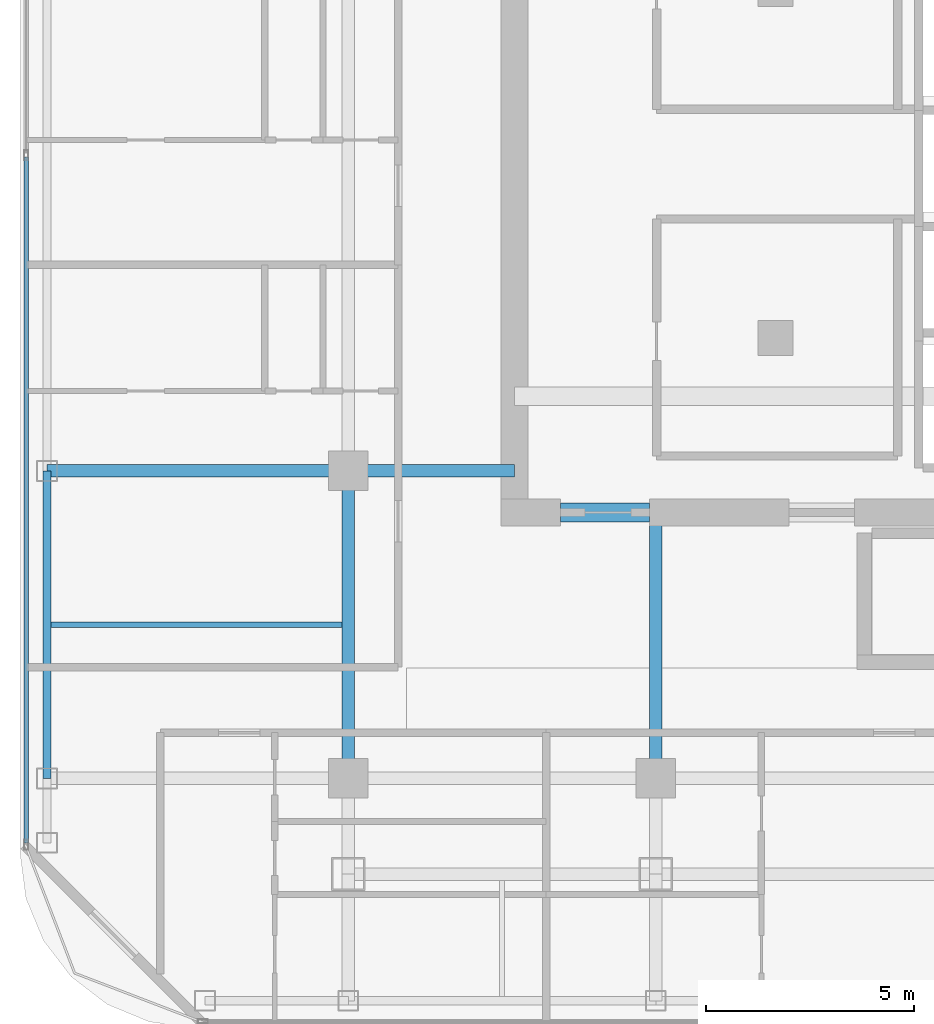
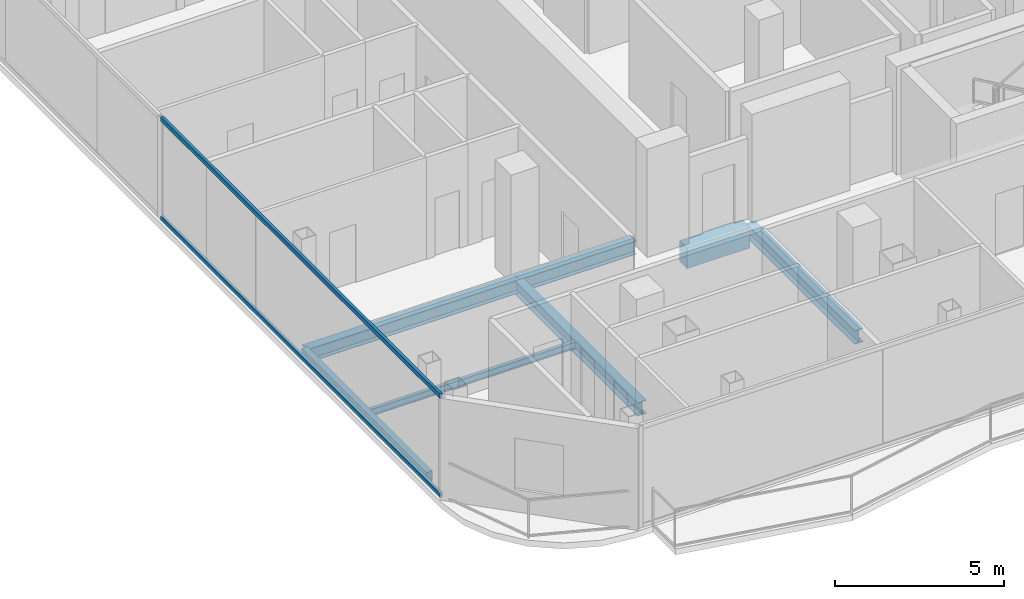
# One storey, part 3 of 23: 7 beams, 2 members, 1 element without a shape of its own.
"""IFC4 building model written with IfcOpenShell, lengths in metres."""

from ifc_helpers import new_model, si_unit, direction, frame, origin, origin_2d, place, context, subcontext, project, spatial, rectangle, hollow_rectangle, i_section, extrude, material, layer, layer_set, material_profile, profile_set, type_object, element, aggregate, save


model = new_model("IFC4")

# Units and contexts
model_context = context("Model", 3, precision=1e-05, world=origin(), true_north=direction((0.0, 1.0)))
body_context = subcontext(model_context, "Body", "Model", "MODEL_VIEW")
ifc_project = project(units=[si_unit("LENGTHUNIT", "METRE"), si_unit("AREAUNIT", "SQUARE_METRE"), si_unit("VOLUMEUNIT", "CUBIC_METRE"), si_unit("PLANEANGLEUNIT", "RADIAN"), si_unit("MASSUNIT", "GRAM", prefix="KILO")], contexts=[model_context])

# Site, building, storey
site_placement = place(None, origin())
site = spatial("IfcSite", under=ifc_project, at=site_placement, CompositionType="ELEMENT")
building_placement = place(site_placement, origin())
building = spatial("IfcBuilding", under=site, at=building_placement, Name="Khorvyn Point Tower", CompositionType="ELEMENT")
storey_placement = place(building_placement, frame((0.0, 0.0, 297.60009765625)))
storey = spatial("IfcBuildingStorey", under=building, at=storey_placement, Name="L73", CompositionType="ELEMENT", Elevation=297.60009765625)

# Curtain wall, members
ifc_material_1 = material(Name="Anodised aluminium 6063-T6 and laminated Low-E glass", Category="aluminium")
ifc_layer = layer(ifc_material_1, 0.18994140625)
ifc_layer_set = layer_set([ifc_layer], Name="Stick-Built High-Wind Curtain Wall CW-SYS-04")
curtain_wall_type = type_object("IfcCurtainWallType", Name="Stick-Built High-Wind Curtain Wall CW-SYS-04", PredefinedType="NOTDEFINED", material=ifc_layer_set)
curtain_wall_placement = place(storey_placement, origin())
curtain_wall = element("IfcCurtainWall", 1, at=curtain_wall_placement, inside=storey, type_object=curtain_wall_type, Name="Curtain Wall", PredefinedType="NOTDEFINED")
ifc_material_2 = material(Name="Anodised aluminium 6063-T6", Category="aluminium")
ifc_material_profile_1 = material_profile(ifc_material_2, hollow_rectangle(XDim=0.10009765625, YDim=0.159912109375, WallThickness=0.00439453125, at=origin_2d()))
ifc_profile_set_1 = profile_set([ifc_material_profile_1], Name="Anodised aluminium 6063-T6 ALU-TRN-100x160")
member_type = type_object("IfcMemberType", Name="Anodised Aluminium 6063-T6 Transom ALU-TRN-100x160", PredefinedType="USERDEFINED", material=ifc_profile_set_1)
member_1_placement = place(storey_placement, frame((-22.550048828125, -16.35009765625, 0.0498046875), z_axis=(0.0, 1.0, 0.0), x_axis=(-1.0, 0.0, 0.0)))
member_1 = element("IfcMember", 2, at=member_1_placement, type_object=member_type, Name="Transom", ObjectType="TRANSOM", PredefinedType="USERDEFINED", context=body_context, shape_type="SweptSolid", body=[
    extrude(hollow_rectangle(XDim=0.10009765625, YDim=0.159912109375, WallThickness=0.00439453125, at=origin_2d()), origin(), (0.0, 0.0, 1.0), 16.5),
])
member_2_placement = place(storey_placement, frame((-22.550048828125, -16.35009765625, 3.6298828125), z_axis=(0.0, 1.0, 0.0), x_axis=(-1.0, 0.0, 0.0)))
member_2 = element("IfcMember", 3, at=member_2_placement, type_object=member_type, Name="Transom", ObjectType="TRANSOM", PredefinedType="USERDEFINED", context=body_context, shape_type="SweptSolid", body=[
    extrude(hollow_rectangle(XDim=0.10009765625, YDim=0.159912109375, WallThickness=0.00439453125, at=origin_2d()), origin(), (0.0, 0.0, 1.0), 16.5),
])
aggregate(curtain_wall, [member_1, member_2])

# Beams
ifc_material_3 = material(Name="Concrete C40/50", Category="concrete")
ifc_material_profile_2 = material_profile(ifc_material_3, rectangle(XDim=0.449951171875, YDim=0.75, at=origin_2d()))
ifc_profile_set_2 = profile_set([ifc_material_profile_2], Name="Concrete C40/50 RC450x750")
beam_type_1 = type_object("IfcBeamType", Name="Concrete C40/50 Beam RC450x750", PredefinedType="BEAM", material=ifc_profile_set_2)
beam_1_placement = place(storey_placement, frame((-9.699951171875, -8.39990234375, -0.59521484375), z_axis=(1.0, 0.0, 0.0), x_axis=(0.0, 1.0, 0.0)))
element("IfcBeam", 4, at=beam_1_placement, inside=storey, type_object=beam_type_1, Name="L73 Core Southwest Portal Coupling Beam", PredefinedType="BEAM", context=body_context, shape_type="SweptSolid", body=[
    extrude(rectangle(XDim=0.449951171875, YDim=0.75, at=origin_2d()), origin(), (0.0, 0.0, 1.0), 2.14990234375),
])
ifc_material_4 = material(Name="Steel S355", Category="steel")
ifc_material_profile_3 = material_profile(ifc_material_4, i_section(OverallWidth=0.125, OverallDepth=0.25, WebThickness=0.006103515625, FlangeThickness=0.009033203125, at=origin_2d()))
ifc_profile_set_3 = profile_set([ifc_material_profile_3], Name="Steel S355 H250x125x6x9")
beam_type_2 = type_object("IfcBeamType", Name="Steel S355 Joist H250x125x6x9", PredefinedType="JOIST", material=ifc_profile_set_3)
beam_2_placement = place(storey_placement, frame((-21.949951171875, -11.10009765625, -0.34521484375), z_axis=(1.0, 0.0, 0.0), x_axis=(0.0, 1.0, 0.0)))
element("IfcBeam", 5, at=beam_2_placement, inside=storey, type_object=beam_type_2, Name="Beam", PredefinedType="JOIST", context=body_context, shape_type="SweptSolid", body=[
    extrude(i_section(OverallWidth=0.125, OverallDepth=0.25, WebThickness=0.006103515625, FlangeThickness=0.009033203125, at=origin_2d()), origin(), (0.0, 0.0, 1.0), 7.0),
])
ifc_material_profile_4 = material_profile(ifc_material_4, i_section(OverallWidth=0.300048828125, OverallDepth=0.488037109375, WebThickness=0.010986328125, FlangeThickness=0.01806640625, at=origin_2d()))
ifc_profile_set_4 = profile_set([ifc_material_profile_4], Name="Steel S355 H488x300x11x18")
beam_type_3 = type_object("IfcBeamType", Name="Steel S355 Spandrel H488x300x11x18", PredefinedType="SPANDREL", material=ifc_profile_set_4)
beam_3_placement = place(storey_placement, frame((-22.050048828125, -7.39990234375, -0.464111328125), z_axis=(1.0, 0.0, 0.0), x_axis=(0.0, 1.0, 0.0)))
element("IfcBeam", 6, at=beam_3_placement, inside=storey, type_object=beam_type_3, Name="Beam", PredefinedType="SPANDREL", context=body_context, shape_type="SweptSolid", body=[
    extrude(i_section(OverallWidth=0.300048828125, OverallDepth=0.488037109375, WebThickness=0.010986328125, FlangeThickness=0.01806640625, at=origin_2d()), origin(), (0.0, 0.0, 1.0), 7.25),
])
beam_4_placement = place(storey_placement, frame((-14.800048828125, -7.39990234375, -0.464111328125), z_axis=(1.0, 0.0, 0.0), x_axis=(0.0, 1.0, 0.0)))
element("IfcBeam", 7, at=beam_4_placement, inside=storey, type_object=beam_type_3, Name="Beam", PredefinedType="SPANDREL", context=body_context, shape_type="SweptSolid", body=[
    extrude(i_section(OverallWidth=0.300048828125, OverallDepth=0.488037109375, WebThickness=0.010986328125, FlangeThickness=0.01806640625, at=origin_2d()), origin(), (0.0, 0.0, 1.0), 4.0),
])
beam_5_placement = place(storey_placement, frame((-14.800048828125, -14.800048828125, -0.464111328125), z_axis=(0.0, 1.0, 0.0), x_axis=(-1.0, 0.0, 0.0)))
element("IfcBeam", 8, at=beam_5_placement, inside=storey, type_object=beam_type_3, Name="Beam", PredefinedType="SPANDREL", context=body_context, shape_type="SweptSolid", body=[
    extrude(i_section(OverallWidth=0.300048828125, OverallDepth=0.488037109375, WebThickness=0.010986328125, FlangeThickness=0.01806640625, at=origin_2d()), origin(), (0.0, 0.0, 1.0), 7.400146484375),
])
beam_6_placement = place(storey_placement, frame((-7.39990234375, -14.800048828125, -0.464111328125), z_axis=(0.0, 1.0, 0.0), x_axis=(-1.0, 0.0, 0.0)))
element("IfcBeam", 9, at=beam_6_placement, inside=storey, type_object=beam_type_3, Name="Beam", PredefinedType="SPANDREL", context=body_context, shape_type="SweptSolid", body=[
    extrude(i_section(OverallWidth=0.300048828125, OverallDepth=0.488037109375, WebThickness=0.010986328125, FlangeThickness=0.01806640625, at=origin_2d()), origin(), (0.0, 0.0, 1.0), 6.400146484375),
])
ifc_material_profile_5 = material_profile(ifc_material_4, hollow_rectangle(XDim=0.199951171875, YDim=0.35009765625, WallThickness=0.013916015625, at=origin_2d()))
ifc_profile_set_5 = profile_set([ifc_material_profile_5], Name="Steel S355 RHS350x200x14")
beam_type_4 = type_object("IfcBeamType", Name="Steel S355 Spandrel RHS350x200x14", PredefinedType="SPANDREL", material=ifc_profile_set_5)
beam_7_placement = place(storey_placement, frame((-22.050048828125, -14.800048828125, -0.39501953125), z_axis=(0.0, 1.0, 0.0), x_axis=(-1.0, 0.0, 0.0)))
element("IfcBeam", 10, at=beam_7_placement, inside=storey, type_object=beam_type_4, Name="Beam", PredefinedType="SPANDREL", context=body_context, shape_type="SweptSolid", body=[
    extrude(hollow_rectangle(XDim=0.199951171875, YDim=0.35009765625, WallThickness=0.013916015625, at=origin_2d()), origin(), (0.0, 0.0, 1.0), 7.400146484375),
])

save(model, "model.ifc")
